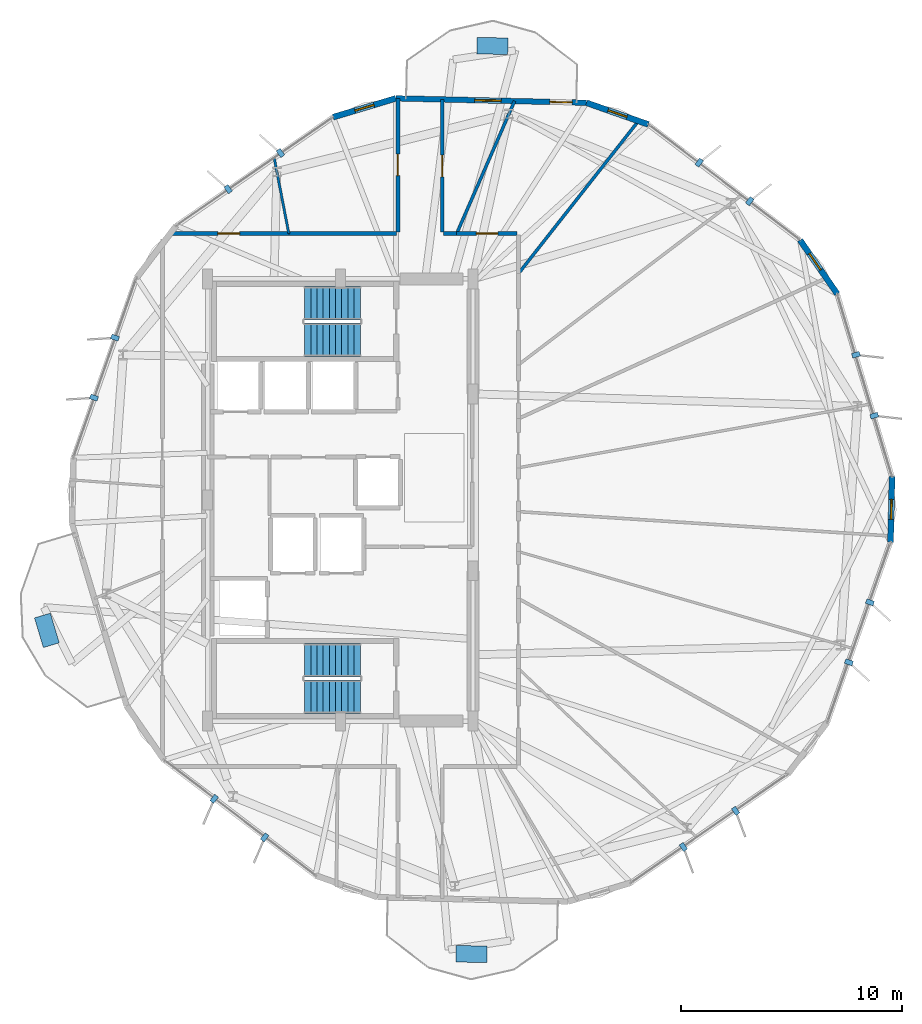
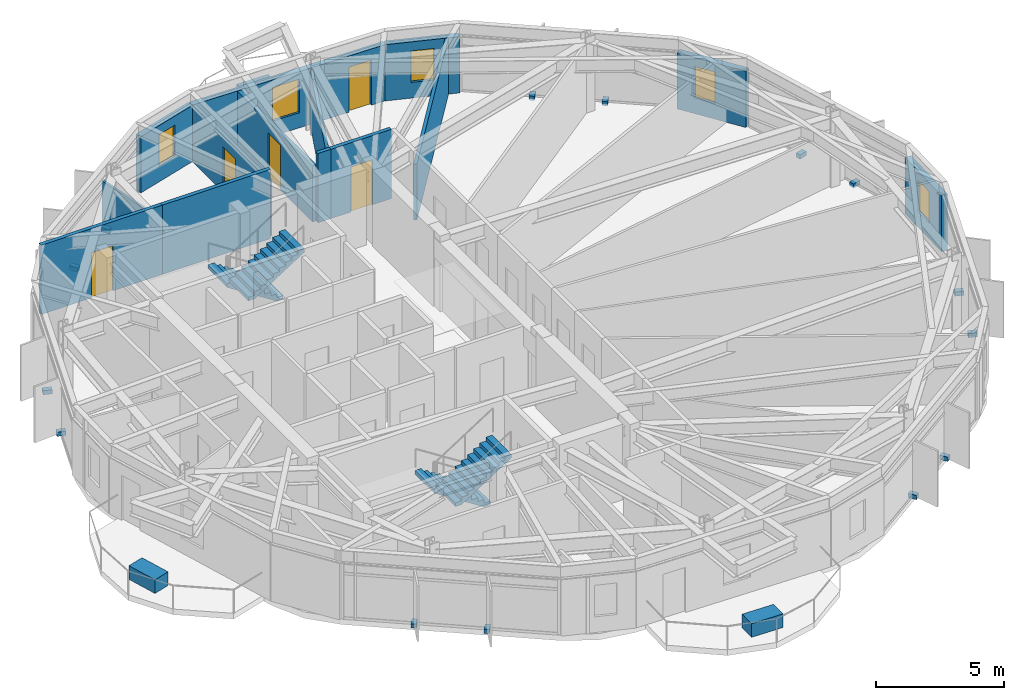
# One storey, part 18 of 22: 17 discrete accessories, 14 walls, 5 doors, 5 windows, 4 stair flights, 10 openings, 2 elements without a shape of their own.
"""IFC4 building model written with IfcOpenShell, lengths in metres."""

from ifc_helpers import new_model, si_unit, direction, frame, frame_2d, origin, origin_2d, place, context, subcontext, project, spatial, polyline, rectangle, outline, extrude, material, layer, layer_set, type_object, element, fill, aggregate, save


model = new_model("IFC4")

# Units and contexts
model_context = context("Model", 3, precision=1e-05, world=origin(), true_north=direction((0.0, 1.0)))
body_context = subcontext(model_context, "Body", "Model", "MODEL_VIEW")
ifc_project = project(units=[si_unit("LENGTHUNIT", "METRE"), si_unit("AREAUNIT", "SQUARE_METRE"), si_unit("VOLUMEUNIT", "CUBIC_METRE"), si_unit("PLANEANGLEUNIT", "RADIAN"), si_unit("MASSUNIT", "GRAM", prefix="KILO")], contexts=[model_context])

# Site, building, storey
site_placement = place(None, origin())
site = spatial("IfcSite", under=ifc_project, at=site_placement, CompositionType="ELEMENT")
building_placement = place(site_placement, origin())
building = spatial("IfcBuilding", under=site, at=building_placement, Name="Soratama Intermodal Tower", CompositionType="ELEMENT")
storey_placement = place(building_placement, frame((0.0, 0.0, 160.60009765625)))
storey = spatial("IfcBuildingStorey", under=building, at=storey_placement, Name="L39", CompositionType="ELEMENT", Elevation=160.60009765625)

# Wall, openings, door, window
ifc_material_1 = material(Name="Concrete f'c 42 MPa", Category="concrete")
ifc_layer_1 = layer(ifc_material_1, 0.25)
ifc_layer_set_1 = layer_set([ifc_layer_1], Name="Concrete f'c 42 MPa")
wall_type_1 = type_object("IfcWallType", Name="EW-BAL-250", PredefinedType="SOLIDWALL", material=ifc_layer_set_1)
wall_1_placement = place(storey_placement, frame((49.725830078125, 42.962890625, 0.0), z_axis=(0.0, 0.0, 1.0), x_axis=(-0.999734296137, 0.023050751106, 0.0)))
wall_1 = element("IfcWall", 1, at=wall_1_placement, inside=storey, type_object=wall_type_1, Name="L39 Terrace Wall F02", PredefinedType="SOLIDWALL", context=body_context, shape_type="SweptSolid", body=[
    extrude(rectangle(XDim=8.621337890625, YDim=0.25, at=frame_2d((4.310546875, 0.0))), origin(), (0.0, 0.0, 1.0), 2.678955078125),
])
opening_1_placement = place(wall_1_placement, frame((0.64990234375, 0.0, 0.0)))
opening_1 = element("IfcOpeningElement", 2, at=opening_1_placement, cuts=wall_1, Name="Opening ED-2", PredefinedType="OPENING", context=body_context, shape_type="SweptSolid", body=[
    extrude(rectangle(XDim=1.0, YDim=2.14990234375, at=frame_2d((0.5, 1.074951171875))), frame((0.0, 0.135009765625, 0.0), z_axis=(0.0, -1.0, 0.0), x_axis=(1.0, 0.0, 0.0)), (0.0, 0.0, 1.0), 0.27001953125),
])
opening_2_placement = place(wall_1_placement, frame((3.853759765625, 0.0, 0.719970703125)))
opening_2 = element("IfcOpeningElement", 3, at=opening_2_placement, cuts=wall_1, Name="Opening WN-2", PredefinedType="OPENING", context=body_context, shape_type="SweptSolid", body=[
    extrude(rectangle(XDim=1.199951171875, YDim=1.60009765625, at=frame_2d((0.60009765625, 0.800048828125))), frame((0.0, 0.135009765625, 0.0), z_axis=(0.0, -1.0, 0.0), x_axis=(1.0, 0.0, 0.0)), (0.0, 0.0, 1.0), 0.27001953125),
])
ifc_material_2 = material(Name="Double-glazed aluminium door", Category="aluminium")
door_type_1 = type_object("IfcDoorType", Name="DR-BAL-1000", OperationType="NOTDEFINED", PredefinedType="DOOR", material=ifc_material_2)
door_1_placement = place(opening_1_placement, origin())
door_1 = element("IfcDoor", 4, at=door_1_placement, inside=storey, type_object=door_type_1, Name="L39 Balcony Door F02", OperationType="SINGLE_SWING_RIGHT", OverallHeight=2.14990234375, OverallWidth=1.0, PredefinedType="DOOR", context=body_context, shape_type="SweptSolid", body=[
    extrude(rectangle(XDim=1.0, YDim=2.14990234375, at=frame_2d((0.5, 1.074951171875))), frame((0.0, 0.02490234375, 0.0), z_axis=(0.0, -1.0, 0.0), x_axis=(1.0, 0.0, 0.0)), (0.0, 0.0, 1.0), 0.050048828125),
])
fill(opening_1, door_1)
ifc_material_3 = material(Name="Double-glazed aluminium window", Category="aluminium")
window_type_1 = type_object("IfcWindowType", Name="WN-FAC-1200", PartitioningType="SINGLE_PANEL", PredefinedType="WINDOW", material=ifc_material_3)
window_1_placement = place(opening_2_placement, origin())
window_1 = element("IfcWindow", 5, at=window_1_placement, inside=storey, type_object=window_type_1, Name="L39 Window B F02", OverallHeight=1.60009765625, OverallWidth=1.199951171875, PartitioningType="SINGLE_PANEL", PredefinedType="WINDOW", context=body_context, shape_type="SweptSolid", body=[
    extrude(rectangle(XDim=1.199951171875, YDim=1.60009765625, at=frame_2d((0.60009765625, 0.800048828125))), frame((0.0, 0.030029296875, 0.0), z_axis=(0.0, -1.0, 0.0), x_axis=(1.0, 0.0, 0.0)), (0.0, 0.0, 1.0), 0.06005859375),
])
fill(opening_2, window_1)

# Wall, opening, window
ifc_material_4 = material(Name="Concrete f'c 42 MPa", Category="concrete")
ifc_layer_2 = layer(ifc_material_4, 0.27001953125)
ifc_layer_set_2 = layer_set([ifc_layer_2], Name="Concrete f'c 42 MPa")
wall_type_2 = type_object("IfcWallType", Name="EW-CRN-270", PredefinedType="SOLIDWALL", material=ifc_layer_set_2)
wall_2_placement = place(storey_placement, frame((52.525390625, 41.981689453125, 0.0), z_axis=(0.0, 0.0, 1.0), x_axis=(-0.94371585025, 0.330757303755, 0.0)))
wall_2 = element("IfcWall", 6, at=wall_2_placement, inside=storey, type_object=wall_type_2, Name="L39 Corner Closure Wall 01", PredefinedType="SOLIDWALL", context=body_context, shape_type="SweptSolid", body=[
    extrude(rectangle(XDim=2.966552734375, YDim=0.27001953125, at=frame_2d((1.4833984375, 0.0))), origin(), (0.0, 0.0, 1.0), 2.678955078125),
])
opening_3_placement = place(wall_2_placement, frame((1.033203125, 0.0, 0.75)))
opening_3 = element("IfcOpeningElement", 7, at=opening_3_placement, cuts=wall_2, Name="Opening WN-6", PredefinedType="OPENING", context=body_context, shape_type="SweptSolid", body=[
    extrude(rectangle(XDim=0.89990234375, YDim=1.5, at=frame_2d((0.449951171875, 0.75))), frame((0.0, 0.14501953125, 0.0), z_axis=(0.0, -1.0, 0.0), x_axis=(1.0, 0.0, 0.0)), (0.0, 0.0, 1.0), 0.2900390625),
])
ifc_material_5 = material(Name="Double-glazed aluminium window", Category="aluminium")
window_type_2 = type_object("IfcWindowType", Name="WN-FAC-900", PartitioningType="SINGLE_PANEL", PredefinedType="WINDOW", material=ifc_material_5)
window_2_placement = place(opening_3_placement, origin())
window_2 = element("IfcWindow", 8, at=window_2_placement, inside=storey, type_object=window_type_2, Name="L39 Corner Window 01", OverallHeight=1.5, OverallWidth=0.89990234375, PartitioningType="SINGLE_PANEL", PredefinedType="WINDOW", context=body_context, shape_type="SweptSolid", body=[
    extrude(rectangle(XDim=0.89990234375, YDim=1.5, at=frame_2d((0.449951171875, 0.75))), frame((0.0, 0.030029296875, 0.0), z_axis=(0.0, -1.0, 0.0), x_axis=(1.0, 0.0, 0.0)), (0.0, 0.0, 1.0), 0.06005859375),
])
fill(opening_3, window_2)

wall_3_placement = place(storey_placement, frame((41.106689453125, 43.16162109375, 0.0), z_axis=(0.0, 0.0, 1.0), x_axis=(-0.957939463861, -0.286970353134, 0.0)))
wall_3 = element("IfcWall", 9, at=wall_3_placement, inside=storey, type_object=wall_type_2, Name="L39 Corner Closure Wall 02", PredefinedType="SOLIDWALL", context=body_context, shape_type="SweptSolid", body=[
    extrude(rectangle(XDim=2.966552734375, YDim=0.27001953125, at=frame_2d((1.4833984375, 0.0))), origin(), (0.0, 0.0, 1.0), 2.678955078125),
])
opening_4_placement = place(wall_3_placement, frame((1.033203125, 0.0, 0.75)))
opening_4 = element("IfcOpeningElement", 10, at=opening_4_placement, cuts=wall_3, Name="Opening WN-6", PredefinedType="OPENING", context=body_context, shape_type="SweptSolid", body=[
    extrude(rectangle(XDim=0.89990234375, YDim=1.5, at=frame_2d((0.449951171875, 0.75))), frame((0.0, 0.14501953125, 0.0), z_axis=(0.0, -1.0, 0.0), x_axis=(1.0, 0.0, 0.0)), (0.0, 0.0, 1.0), 0.2900390625),
])
window_3_placement = place(opening_4_placement, origin())
window_3 = element("IfcWindow", 11, at=window_3_placement, inside=storey, type_object=window_type_2, Name="L39 Corner Window 02", OverallHeight=1.5, OverallWidth=0.89990234375, PartitioningType="SINGLE_PANEL", PredefinedType="WINDOW", context=body_context, shape_type="SweptSolid", body=[
    extrude(rectangle(XDim=0.89990234375, YDim=1.5, at=frame_2d((0.449951171875, 0.75))), frame((0.0, 0.030029296875, 0.0), z_axis=(0.0, -1.0, 0.0), x_axis=(1.0, 0.0, 0.0)), (0.0, 0.0, 1.0), 0.06005859375),
])
fill(opening_4, window_3)

wall_4_placement = place(storey_placement, frame((63.475830078125, 23.090576171875, 0.0), z_axis=(0.0, 0.0, 1.0), x_axis=(0.023042941499, 0.999734476172, 0.0)))
wall_4 = element("IfcWall", 12, at=wall_4_placement, inside=storey, type_object=wall_type_2, Name="L39 Corner Closure Wall 09", PredefinedType="SOLIDWALL", context=body_context, shape_type="SweptSolid", body=[
    extrude(rectangle(XDim=2.966552734375, YDim=0.27001953125, at=frame_2d((1.4833984375, 0.0))), origin(), (0.0, 0.0, 1.0), 2.678955078125),
])
opening_5_placement = place(wall_4_placement, frame((1.033203125, 0.0, 0.75)))
opening_5 = element("IfcOpeningElement", 13, at=opening_5_placement, cuts=wall_4, Name="Opening WN-6", PredefinedType="OPENING", context=body_context, shape_type="SweptSolid", body=[
    extrude(rectangle(XDim=0.89990234375, YDim=1.5, at=frame_2d((0.449951171875, 0.75))), frame((0.0, 0.14501953125, 0.0), z_axis=(0.0, -1.0, 0.0), x_axis=(1.0, 0.0, 0.0)), (0.0, 0.0, 1.0), 0.2900390625),
])
window_4_placement = place(opening_5_placement, origin())
window_4 = element("IfcWindow", 14, at=window_4_placement, inside=storey, type_object=window_type_2, Name="L39 Corner Window 09", OverallHeight=1.5, OverallWidth=0.89990234375, PartitioningType="SINGLE_PANEL", PredefinedType="WINDOW", context=body_context, shape_type="SweptSolid", body=[
    extrude(rectangle(XDim=0.89990234375, YDim=1.5, at=frame_2d((0.449951171875, 0.75))), frame((0.0, 0.030029296875, 0.0), z_axis=(0.0, -1.0, 0.0), x_axis=(1.0, 0.0, 0.0)), (0.0, 0.0, 1.0), 0.06005859375),
])
fill(opening_5, window_4)

wall_5_placement = place(storey_placement, frame((61.069580078125, 34.315185546875, 0.0), z_axis=(0.0, 0.0, 1.0), x_axis=(-0.569013104062, 0.822328454698, 0.0)))
wall_5 = element("IfcWall", 15, at=wall_5_placement, inside=storey, type_object=wall_type_2, Name="L39 Corner Closure Wall 10", PredefinedType="SOLIDWALL", context=body_context, shape_type="SweptSolid", body=[
    extrude(rectangle(XDim=2.966552734375, YDim=0.27001953125, at=frame_2d((1.4833984375, 0.0))), origin(), (0.0, 0.0, 1.0), 2.678955078125),
])
opening_6_placement = place(wall_5_placement, frame((1.324951171875, 0.0, 0.75)))
opening_6 = element("IfcOpeningElement", 16, at=opening_6_placement, cuts=wall_5, Name="Opening WN-6", PredefinedType="OPENING", context=body_context, shape_type="SweptSolid", body=[
    extrude(rectangle(XDim=0.89990234375, YDim=1.5, at=frame_2d((0.449951171875, 0.75))), frame((0.0, 0.14501953125, 0.0), z_axis=(0.0, -1.0, 0.0), x_axis=(1.0, 0.0, 0.0)), (0.0, 0.0, 1.0), 0.2900390625),
])
window_5_placement = place(opening_6_placement, origin())
window_5 = element("IfcWindow", 17, at=window_5_placement, inside=storey, type_object=window_type_2, Name="L39 Corner Window 10", OverallHeight=1.5, OverallWidth=0.89990234375, PartitioningType="SINGLE_PANEL", PredefinedType="WINDOW", context=body_context, shape_type="SweptSolid", body=[
    extrude(rectangle(XDim=0.89990234375, YDim=1.5, at=frame_2d((0.449951171875, 0.75))), frame((0.0, 0.030029296875, 0.0), z_axis=(0.0, -1.0, 0.0), x_axis=(1.0, 0.0, 0.0)), (0.0, 0.0, 1.0), 0.06005859375),
])
fill(opening_6, window_5)

# Wall, opening, door
ifc_material_6 = material(Name="Fire-rated gypsum stud partition", Category="concrete")
ifc_layer_3 = layer(ifc_material_6, 0.169921875)
ifc_layer_set_3 = layer_set([ifc_layer_3], Name="Fire-rated gypsum stud partition")
wall_type_3 = type_object("IfcWallType", Name="IW-PART-R170", PredefinedType="PARTITIONING", material=ifc_layer_set_3)
wall_6_placement = place(storey_placement, frame((41.199951171875, 37.1201171875, 0.0), z_axis=(0.0, 0.0, 1.0), x_axis=(0.0, 1.0, 0.0)))
wall_6 = element("IfcWall", 18, at=wall_6_placement, inside=storey, type_object=wall_type_3, Name="L39 Partition W-L39-TP015", PredefinedType="PARTITIONING", context=body_context, shape_type="SweptSolid", body=[
    extrude(rectangle(XDim=6.038818359375, YDim=0.169921875, at=frame_2d((3.01953125, 0.0))), origin(), (0.0, 0.0, 1.0), 2.677978515625),
])
opening_7_placement = place(wall_6_placement, frame((2.544921875, 0.0, 0.0)))
opening_7 = element("IfcOpeningElement", 19, at=opening_7_placement, cuts=wall_6, Name="Opening ID-5", PredefinedType="OPENING", context=body_context, shape_type="SweptSolid", body=[
    extrude(rectangle(XDim=0.97998046875, YDim=2.14990234375, at=frame_2d((0.489990234375, 1.074951171875))), frame((0.0, 0.094970703125, 0.0), z_axis=(0.0, -1.0, 0.0), x_axis=(1.0, 0.0, 0.0)), (0.0, 0.0, 1.0), 0.18994140625),
])
ifc_material_7 = material(Name="Solid hardwood acoustic door", Category="wood")
door_type_2 = type_object("IfcDoorType", Name="DR-OFF-980", OperationType="NOTDEFINED", PredefinedType="DOOR", material=ifc_material_7)
door_2_placement = place(opening_7_placement, origin())
door_2 = element("IfcDoor", 20, at=door_2_placement, inside=storey, type_object=door_type_2, Name="L39 Door D-L39-TP005", OperationType="SINGLE_SWING_RIGHT", OverallHeight=2.14990234375, OverallWidth=0.97998046875, PredefinedType="DOOR", context=body_context, shape_type="SweptSolid", body=[
    extrude(rectangle(XDim=0.97998046875, YDim=2.14990234375, at=frame_2d((0.489990234375, 1.074951171875))), frame((0.0, 0.02490234375, 0.0), z_axis=(0.0, -1.0, 0.0), x_axis=(1.0, 0.0, 0.0)), (0.0, 0.0, 1.0), 0.050048828125),
])
fill(opening_7, door_2)

wall_7_placement = place(storey_placement, frame((43.199951171875, 43.113037109375, 0.0), z_axis=(0.0, 0.0, 1.0), x_axis=(0.0, -1.0, 0.0)))
wall_7 = element("IfcWall", 21, at=wall_7_placement, inside=storey, type_object=wall_type_3, Name="L39 Partition W-L39-TP016", PredefinedType="PARTITIONING", context=body_context, shape_type="SweptSolid", body=[
    extrude(rectangle(XDim=5.992919921875, YDim=0.169921875, at=frame_2d((2.99658203125, 0.0))), origin(), (0.0, 0.0, 1.0), 2.673828125),
])
opening_8_placement = place(wall_7_placement, frame((2.52197265625, 0.0, 0.0)))
opening_8 = element("IfcOpeningElement", 22, at=opening_8_placement, cuts=wall_7, Name="Opening ID-5", PredefinedType="OPENING", context=body_context, shape_type="SweptSolid", body=[
    extrude(rectangle(XDim=0.97998046875, YDim=2.14990234375, at=frame_2d((0.489990234375, 1.074951171875))), frame((0.0, 0.094970703125, 0.0), z_axis=(0.0, -1.0, 0.0), x_axis=(1.0, 0.0, 0.0)), (0.0, 0.0, 1.0), 0.18994140625),
])
door_3_placement = place(opening_8_placement, origin())
door_3 = element("IfcDoor", 23, at=door_3_placement, inside=storey, type_object=door_type_2, Name="L39 Door D-L39-TP006", OperationType="SINGLE_SWING_LEFT", OverallHeight=2.14990234375, OverallWidth=0.97998046875, PredefinedType="DOOR", context=body_context, shape_type="SweptSolid", body=[
    extrude(rectangle(XDim=0.97998046875, YDim=2.14990234375, at=frame_2d((0.489990234375, 1.074951171875))), frame((0.0, 0.02490234375, 0.0), z_axis=(0.0, -1.0, 0.0), x_axis=(1.0, 0.0, 0.0)), (0.0, 0.0, 1.0), 0.050048828125),
])
fill(opening_8, door_3)

wall_8_placement = place(storey_placement, frame((30.803955078125, 37.050048828125, 0.0), z_axis=(0.0, 0.0, 1.0), x_axis=(1.0, 0.0, 0.0)))
wall_8 = element("IfcWall", 24, at=wall_8_placement, inside=storey, type_object=wall_type_3, Name="L39 Partition W-L39-TP019", PredefinedType="PARTITIONING", context=body_context, shape_type="SweptSolid", body=[
    extrude(rectangle(XDim=5.463134765625, YDim=0.169921875, at=frame_2d((2.7314453125, 0.0))), origin(), (0.0, 0.0, 1.0), 3.2998046875),
])
opening_9_placement = place(wall_8_placement, frame((2.257080078125, 0.0, 0.0)))
opening_9 = element("IfcOpeningElement", 25, at=opening_9_placement, cuts=wall_8, Name="Opening ID-5", PredefinedType="OPENING", context=body_context, shape_type="SweptSolid", body=[
    extrude(rectangle(XDim=0.97998046875, YDim=2.14990234375, at=frame_2d((0.489990234375, 1.074951171875))), frame((0.0, 0.094970703125, 0.0), z_axis=(0.0, -1.0, 0.0), x_axis=(1.0, 0.0, 0.0)), (0.0, 0.0, 1.0), 0.18994140625),
])
door_4_placement = place(opening_9_placement, origin())
door_4 = element("IfcDoor", 26, at=door_4_placement, inside=storey, type_object=door_type_2, Name="L39 Door D-L39-TP009", OperationType="SINGLE_SWING_RIGHT", OverallHeight=2.14990234375, OverallWidth=0.97998046875, PredefinedType="DOOR", context=body_context, shape_type="SweptSolid", body=[
    extrude(rectangle(XDim=0.97998046875, YDim=2.14990234375, at=frame_2d((0.489990234375, 1.074951171875))), frame((0.0, 0.02490234375, 0.0), z_axis=(0.0, -1.0, 0.0), x_axis=(1.0, 0.0, 0.0)), (0.0, 0.0, 1.0), 0.050048828125),
])
fill(opening_9, door_4)

# Wall
wall_9_placement = place(storey_placement, frame((36.26708984375, 37.050048828125, 0.0), z_axis=(0.0, 0.0, 1.0), x_axis=(1.0, 0.0, 0.0)))
element("IfcWall", 27, at=wall_9_placement, inside=storey, type_object=wall_type_3, Name="L39 Partition W-L39-TP021", PredefinedType="PARTITIONING", context=body_context, shape_type="SweptSolid", body=[
    extrude(rectangle(XDim=4.86279296875, YDim=0.169921875, at=frame_2d((2.431396484375, 0.0))), origin(), (0.0, 0.0, 1.0), 3.2998046875),
])

# Wall, opening, door
wall_10_placement = place(storey_placement, frame((43.860107421875, 37.050048828125, 0.0), z_axis=(0.0, 0.0, 1.0), x_axis=(1.0, 0.0, 0.0)))
wall_10 = element("IfcWall", 28, at=wall_10_placement, inside=storey, type_object=wall_type_3, Name="L39 Partition W-L39-TP032", PredefinedType="PARTITIONING", context=body_context, shape_type="SweptSolid", body=[
    extrude(rectangle(XDim=2.719970703125, YDim=0.169921875, at=frame_2d((1.35986328125, 0.0))), origin(), (0.0, 0.0, 1.0), 3.2998046875),
])
opening_10_placement = place(wall_10_placement, frame((0.885009765625, 0.0, 0.0)))
opening_10 = element("IfcOpeningElement", 29, at=opening_10_placement, cuts=wall_10, Name="Opening ID-5", PredefinedType="OPENING", context=body_context, shape_type="SweptSolid", body=[
    extrude(rectangle(XDim=0.97998046875, YDim=2.14990234375, at=frame_2d((0.489990234375, 1.074951171875))), frame((0.0, 0.094970703125, 0.0), z_axis=(0.0, -1.0, 0.0), x_axis=(1.0, 0.0, 0.0)), (0.0, 0.0, 1.0), 0.18994140625),
])
door_5_placement = place(opening_10_placement, origin())
door_5 = element("IfcDoor", 30, at=door_5_placement, inside=storey, type_object=door_type_2, Name="L39 Door D-L39-TP017", OperationType="SINGLE_SWING_RIGHT", OverallHeight=2.14990234375, OverallWidth=0.97998046875, PredefinedType="DOOR", context=body_context, shape_type="SweptSolid", body=[
    extrude(rectangle(XDim=0.97998046875, YDim=2.14990234375, at=frame_2d((0.489990234375, 1.074951171875))), frame((0.0, 0.02490234375, 0.0), z_axis=(0.0, -1.0, 0.0), x_axis=(1.0, 0.0, 0.0)), (0.0, 0.0, 1.0), 0.050048828125),
])
fill(opening_10, door_5)

# Walls
wall_11_placement = place(storey_placement, frame((43.27001953125, 37.050048828125, 0.0), z_axis=(0.0, 0.0, 1.0), x_axis=(1.0, 0.0, 0.0)))
element("IfcWall", 31, at=wall_11_placement, inside=storey, type_object=wall_type_3, Name="L39 Partition W-L39-TP046", PredefinedType="PARTITIONING", context=body_context, shape_type="SweptSolid", body=[
    extrude(rectangle(XDim=0.590087890625, YDim=0.169921875, at=frame_2d((0.294921875, 0.0))), origin(), (0.0, 0.0, 1.0), 3.2998046875),
])
ifc_material_8 = material(Name="Fire-rated gypsum stud partition", Category="concrete")
ifc_layer_4 = layer(ifc_material_8, 0.110107421875)
ifc_layer_set_4 = layer_set([ifc_layer_4], Name="Fire-rated gypsum stud partition")
wall_type_4 = type_object("IfcWallType", Name="IW-PART-S110", PredefinedType="PARTITIONING", material=ifc_layer_set_4)
wall_12_placement = place(storey_placement, frame((36.26708984375, 37.050048828125, 0.0), z_axis=(0.0, 0.0, 1.0), x_axis=(-0.190074207451, 0.981769726393, 0.0)))
element("IfcWall", 32, at=wall_12_placement, inside=storey, type_object=wall_type_4, Name="L39 Partition W-L39-TP027", PredefinedType="PARTITIONING", context=body_context, shape_type="SweptSolid", body=[
    extrude(rectangle(XDim=3.4833984375, YDim=0.110107421875, at=frame_2d((1.74169921875, 0.0))), origin(), (0.0, 0.0, 1.0), 2.594970703125),
])
ifc_material_9 = material(Name="Fire-rated gypsum stud partition", Category="concrete")
ifc_layer_5 = layer(ifc_material_9, 0.139892578125)
ifc_layer_set_5 = layer_set([ifc_layer_5], Name="Fire-rated gypsum stud partition")
wall_type_5 = type_object("IfcWallType", Name="IW-PART-S140", PredefinedType="PARTITIONING", material=ifc_layer_set_5)
wall_13_placement = place(storey_placement, frame((46.64990234375, 35.237060546875, 0.0), z_axis=(0.0, 0.0, 1.0), x_axis=(0.618157544568, 0.786054228469, 0.0)))
element("IfcWall", 33, at=wall_13_placement, inside=storey, type_object=wall_type_5, Name="L39 Partition W-L39-TP009", PredefinedType="PARTITIONING", context=body_context, shape_type="SweptSolid", body=[
    extrude(rectangle(XDim=8.85546875, YDim=0.139892578125, at=frame_2d((4.427734375, 0.0))), origin(), (0.0, 0.0, 1.0), 2.677978515625),
])
wall_14_placement = place(storey_placement, frame((43.860107421875, 37.050048828125, 0.0), z_axis=(0.0, 0.0, 1.0), x_axis=(0.400079710806, 0.916480346217, 0.0)))
element("IfcWall", 34, at=wall_14_placement, inside=storey, type_object=wall_type_5, Name="L39 Partition W-L39-TP014", PredefinedType="PARTITIONING", context=body_context, shape_type="SweptSolid", body=[
    extrude(rectangle(XDim=6.53369140625, YDim=0.139892578125, at=frame_2d((3.266845703125, 0.0))), origin(), (0.0, 0.0, 1.0), 2.594970703125),
])

# Stair, stair flights
ifc_material_10 = material(Name="Concrete f'c 42 MPa", Category="concrete")
stair_type = type_object("IfcStairType", Name="ST-CORE-DOGLEG", PredefinedType="HALF_TURN_STAIR", material=ifc_material_10)
stair_1_placement = place(storey_placement, origin())
stair_1 = element("IfcStair", 35, at=stair_1_placement, inside=storey, type_object=stair_type, Name="L39 ST-1", PredefinedType="HALF_TURN_STAIR")
ifc_material_11 = material(Name="Precast concrete f'c 40 MPa", Category="concrete")
ifc_layer_6 = layer(ifc_material_11, 0.199951171875)
ifc_layer_set_6 = layer_set([ifc_layer_6], Name="Precast concrete f'c 40 MPa")
stair_flight_type = type_object("IfcStairFlightType", Name="SF-FLIGHT-RC", PredefinedType="STRAIGHT", material=ifc_layer_set_6)
stair_flight_1_placement = place(storey_placement, frame((39.5, 17.75, 0.0), z_axis=(0.0, 0.0, 1.0), x_axis=(-1.0, 0.0, 0.0)))
stair_flight_1 = element("IfcStairFlight", 36, at=stair_flight_1_placement, type_object=stair_flight_type, Name="ST-1 flight 1", NumberOfRisers=10, NumberOfTreads=9, PredefinedType="STRAIGHT", RiserHeight=0.18, TreadLength=0.28, context=body_context, shape_type="SweptSolid", body=[
    extrude(outline(polyline([(0.0, 0.0), (0.0, 0.179931640625), (0.280029296875, 0.179931640625), (0.280029296875, 0.360107421875), (0.56005859375, 0.360107421875), (0.56005859375, 0.5400390625), (0.840087890625, 0.5400390625), (0.840087890625, 0.719970703125), (1.1201171875, 0.719970703125), (1.1201171875, 0.89990234375), (1.39990234375, 0.89990234375), (1.39990234375, 1.080078125), (1.679931640625, 1.080078125), (1.679931640625, 1.260009765625), (1.9599609375, 1.260009765625), (1.9599609375, 1.43994140625), (2.239990234375, 1.43994140625), (2.239990234375, 1.6201171875), (2.52001953125, 1.6201171875), (2.52001953125, 1.800048828125), (2.52001953125, 1.44189453125), (0.277099609375, 0.0), (0.0, 0.0)])), frame((0.0, 0.75, 0.0), z_axis=(0.0, -1.0, 0.0), x_axis=(1.0, 0.0, 0.0)), (0.0, 0.0, 1.0), 1.5),
])
stair_flight_2_placement = place(storey_placement, frame((36.97998046875, 16.10009765625, 1.7998046875), z_axis=(0.0, 0.0, 1.0), x_axis=(1.0, 0.0, 0.0)))
stair_flight_2 = element("IfcStairFlight", 37, at=stair_flight_2_placement, type_object=stair_flight_type, Name="ST-1 flight 2", NumberOfRisers=10, NumberOfTreads=9, PredefinedType="STRAIGHT", RiserHeight=0.18, TreadLength=0.28, context=body_context, shape_type="SweptSolid", body=[
    extrude(outline(polyline([(0.0, 0.0), (0.0, 0.179931640625), (0.280029296875, 0.179931640625), (0.280029296875, 0.360107421875), (0.56005859375, 0.360107421875), (0.56005859375, 0.5400390625), (0.840087890625, 0.5400390625), (0.840087890625, 0.719970703125), (1.1201171875, 0.719970703125), (1.1201171875, 0.89990234375), (1.39990234375, 0.89990234375), (1.39990234375, 1.080078125), (1.679931640625, 1.080078125), (1.679931640625, 1.260009765625), (1.9599609375, 1.260009765625), (1.9599609375, 1.43994140625), (2.239990234375, 1.43994140625), (2.239990234375, 1.6201171875), (2.52001953125, 1.6201171875), (2.52001953125, 1.800048828125), (2.52001953125, 1.44189453125), (0.277099609375, 0.0), (0.0, 0.0)])), frame((0.0, 0.75, 0.0), z_axis=(0.0, -1.0, 0.0), x_axis=(1.0, 0.0, 0.0)), (0.0, 0.0, 1.0), 1.5),
])
aggregate(stair_1, [stair_flight_1, stair_flight_2])

stair_2_placement = place(storey_placement, origin())
stair_2 = element("IfcStair", 38, at=stair_2_placement, inside=storey, type_object=stair_type, Name="L39 ST-2", PredefinedType="HALF_TURN_STAIR")
stair_flight_3_placement = place(storey_placement, frame((39.5, 33.89990234375, 0.0), z_axis=(0.0, 0.0, 1.0), x_axis=(-1.0, 0.0, 0.0)))
stair_flight_3 = element("IfcStairFlight", 39, at=stair_flight_3_placement, type_object=stair_flight_type, Name="ST-2 flight 1", NumberOfRisers=10, NumberOfTreads=9, PredefinedType="STRAIGHT", RiserHeight=0.18, TreadLength=0.28, context=body_context, shape_type="SweptSolid", body=[
    extrude(outline(polyline([(0.0, 0.0), (0.0, 0.179931640625), (0.280029296875, 0.179931640625), (0.280029296875, 0.360107421875), (0.56005859375, 0.360107421875), (0.56005859375, 0.5400390625), (0.840087890625, 0.5400390625), (0.840087890625, 0.719970703125), (1.1201171875, 0.719970703125), (1.1201171875, 0.89990234375), (1.39990234375, 0.89990234375), (1.39990234375, 1.080078125), (1.679931640625, 1.080078125), (1.679931640625, 1.260009765625), (1.9599609375, 1.260009765625), (1.9599609375, 1.43994140625), (2.239990234375, 1.43994140625), (2.239990234375, 1.6201171875), (2.52001953125, 1.6201171875), (2.52001953125, 1.800048828125), (2.52001953125, 1.44189453125), (0.277099609375, 0.0), (0.0, 0.0)])), frame((0.0, 0.75, 0.0), z_axis=(0.0, -1.0, 0.0), x_axis=(1.0, 0.0, 0.0)), (0.0, 0.0, 1.0), 1.5),
])
stair_flight_4_placement = place(storey_placement, frame((36.97998046875, 32.25, 1.7998046875), z_axis=(0.0, 0.0, 1.0), x_axis=(1.0, 0.0, 0.0)))
stair_flight_4 = element("IfcStairFlight", 40, at=stair_flight_4_placement, type_object=stair_flight_type, Name="ST-2 flight 2", NumberOfRisers=10, NumberOfTreads=9, PredefinedType="STRAIGHT", RiserHeight=0.18, TreadLength=0.28, context=body_context, shape_type="SweptSolid", body=[
    extrude(outline(polyline([(0.0, 0.0), (0.0, 0.179931640625), (0.280029296875, 0.179931640625), (0.280029296875, 0.360107421875), (0.56005859375, 0.360107421875), (0.56005859375, 0.5400390625), (0.840087890625, 0.5400390625), (0.840087890625, 0.719970703125), (1.1201171875, 0.719970703125), (1.1201171875, 0.89990234375), (1.39990234375, 0.89990234375), (1.39990234375, 1.080078125), (1.679931640625, 1.080078125), (1.679931640625, 1.260009765625), (1.9599609375, 1.260009765625), (1.9599609375, 1.43994140625), (2.239990234375, 1.43994140625), (2.239990234375, 1.6201171875), (2.52001953125, 1.6201171875), (2.52001953125, 1.800048828125), (2.52001953125, 1.44189453125), (0.277099609375, 0.0), (0.0, 0.0)])), frame((0.0, 0.75, 0.0), z_axis=(0.0, -1.0, 0.0), x_axis=(1.0, 0.0, 0.0)), (0.0, 0.0, 1.0), 1.5),
])
aggregate(stair_2, [stair_flight_3, stair_flight_4])

# Discrete accessories
ifc_material_12 = material(Name="Structural steel ASTM A992 Grade 50", Category="steel")
discrete_accessory_type_1 = type_object("IfcDiscreteAccessoryType", Name="AC-FIN-BRACKET", PredefinedType="BRACKET", material=ifc_material_12)
for number, where, z_axis, x_axis, name in (
    (41, (57.1083984375, 38.5126953125, -0.080078125), (0.0, 0.0, 1.0), (0.606266035968, 0.79526190254, 0.0), "L39 Fin Bracket F01-1"),
    (42, (54.822998046875, 40.255126953125, -0.080078125), (0.0, 0.0, 1.0), (0.606266035968, 0.79526190254, 0.0), "L39 Fin Bracket F01-2"),
    (43, (35.89013671875, 40.69140625, -0.080078125), (0.0, 0.0, 1.0), (-0.568992506345, 0.82234270698, 0.0), "L39 Fin Bracket F03-1"),
    (44, (33.52685546875, 39.05615234375, -0.080078125), (0.0, 0.0, 1.0), (-0.568992506345, 0.82234270698, 0.0), "L39 Fin Bracket F03-2"),
    (45, (28.40673828125, 32.340087890625, -0.080078125), (0.0, 0.0, 1.0), (-0.943685522798, 0.330843821252, 0.0), "L39 Fin Bracket F04-1"),
    (46, (27.4560546875, 29.6279296875, -0.080078125), (0.0, 0.0, 1.0), (-0.943685522798, 0.330843821252, 0.0), "L39 Fin Bracket F04-2"),
    (47, (32.8916015625, 11.4873046875, -0.080078125), (0.0, 0.0, 1.0), (-0.606266035968, -0.79526190254, 0.0), "L39 Fin Bracket F06-1"),
    (48, (35.177001953125, 9.744873046875, -0.080078125), (0.0, 0.0, 1.0), (-0.606266035968, -0.79526190254, 0.0), "L39 Fin Bracket F06-2"),
    (49, (54.10986328125, 9.30859375, -0.080078125), (0.0, 0.0, 1.0), (0.568992506345, -0.82234270698, 0.0), "L39 Fin Bracket F08-1"),
    (50, (56.47314453125, 10.94384765625, -0.080078125), (0.0, 0.0, 1.0), (0.568992506345, -0.82234270698, 0.0), "L39 Fin Bracket F08-2"),
    (51, (61.59326171875, 17.659912109375, -0.080078125), (0.0, 0.0, 1.0), (0.943685522798, -0.330843821252, 0.0), "L39 Fin Bracket F09-1"),
    (52, (62.5439453125, 20.3720703125, -0.080078125), (0.0, 0.0, 1.0), (0.943685522798, -0.330843821252, 0.0), "L39 Fin Bracket F09-2"),
    (53, (62.738525390625, 28.81494140625, -0.080078125), (0.0, 0.0, 1.0), (0.957922744234, 0.287026159226, 0.0), "L39 Fin Bracket F10-1"),
    (54, (61.91357421875, 31.56787109375, -0.080078125), (0.0, 0.0, 1.0), (0.957922744234, 0.287026159226, 0.0), "L39 Fin Bracket F10-2"),
):
    element("IfcDiscreteAccessory", number, at=place(storey_placement, frame(where, z_axis=z_axis, x_axis=x_axis)), inside=storey, type_object=discrete_accessory_type_1, Name=name, PredefinedType="BRACKET", context=body_context, shape_type="SweptSolid", body=[
        extrude(rectangle(XDim=0.360107421875, YDim=0.219970703125, at=origin_2d()), origin(), (0.0, 0.0, 1.0), 0.199951171875),
    ])
ifc_material_13 = material(Name="Precast concrete f'c 40 MPa", Category="concrete")
discrete_accessory_type_2 = type_object("IfcDiscreteAccessoryType", Name="AC-PLANTER-TREE", PredefinedType="USERDEFINED", material=ifc_material_13)
for number, where, z_axis, x_axis, name in (
    (55, (45.47314453125, 45.531494140625, 0.0), (0.0, 0.0, 1.0), (0.023036308188, 0.999734629042, 0.0), "L39 Tree Planter 1"),
    (56, (25.326904296875, 19.105224609375, 0.0), (0.0, 0.0, 1.0), (-0.957922744234, -0.287026159226, 0.0), "L39 Tree Planter 2"),
    (57, (44.52685546875, 4.468505859375, 0.0), (0.0, 0.0, 1.0), (-0.023036308188, -0.999734629042, 0.0), "L39 Tree Planter 3"),
):
    element("IfcDiscreteAccessory", number, at=place(storey_placement, frame(where, z_axis=z_axis, x_axis=x_axis)), inside=storey, type_object=discrete_accessory_type_2, Name=name, ObjectType="PLANTER", PredefinedType="USERDEFINED", context=body_context, shape_type="SweptSolid", body=[
        extrude(rectangle(XDim=0.75, YDim=1.39990234375, at=origin_2d()), origin(), (0.0, 0.0, 1.0), 0.64990234375),
    ])

save(model, "model.ifc")
